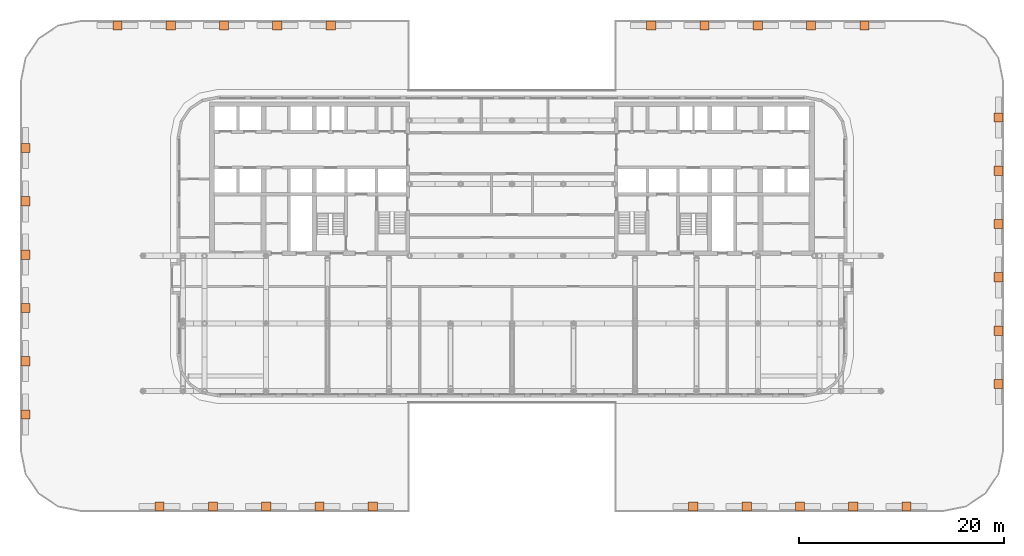
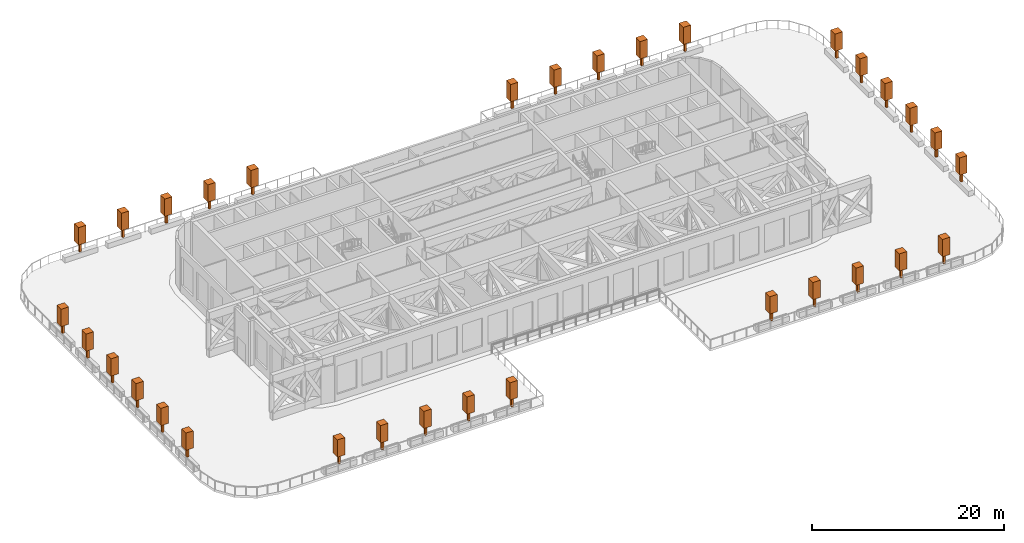
# One storey, part 20 of 20: 32 geographic elements.
"""IFC4 building model written with IfcOpenShell, lengths in metres."""

from ifc_helpers import new_model, si_unit, direction, frame, origin, origin_2d, place, context, subcontext, project, spatial, rectangle, extrude, material, element, save


model = new_model("IFC4")

# Units and contexts
model_context = context("Model", 3, precision=1e-05, world=origin(), true_north=direction((0.0, 1.0)))
body_context = subcontext(model_context, "Body", "Model", "MODEL_VIEW")
ifc_project = project(units=[si_unit("LENGTHUNIT", "METRE"), si_unit("AREAUNIT", "SQUARE_METRE"), si_unit("VOLUMEUNIT", "CUBIC_METRE"), si_unit("PLANEANGLEUNIT", "RADIAN"), si_unit("MASSUNIT", "GRAM", prefix="KILO")], contexts=[model_context])

# Site, building, storey
site_placement = place(None, origin())
site = spatial("IfcSite", under=ifc_project, at=site_placement, CompositionType="ELEMENT")
building_placement = place(site_placement, origin())
building = spatial("IfcBuilding", under=site, at=building_placement, Name="Torana Hotel and Residences", CompositionType="ELEMENT")
storey_placement = place(building_placement, frame((0.0, 0.0, 18.0)))
storey = spatial("IfcBuildingStorey", under=building, at=storey_placement, Name="L03", CompositionType="ELEMENT", Elevation=18.0)

# Geographic elements
ifc_material = material(Name="Foliage", Category="planting")
for number, where, z_axis, x_axis, name in (
    (1, (-13.580078125, -39.469970703125, 0.64990234375), (0.0, 0.0, 1.0), (1.0, 0.0, 0.0), "Tree L03 1.1"),
    (2, (-18.780029296875, -39.469970703125, 0.64990234375), (0.0, 0.0, 1.0), (1.0, 0.0, 0.0), "Tree L03 1.2"),
    (3, (-23.97998046875, -39.469970703125, 0.64990234375), (0.0, 0.0, 1.0), (1.0, 0.0, 0.0), "Tree L03 1.3"),
    (4, (-29.179931640625, -39.469970703125, 0.64990234375), (0.0, 0.0, 1.0), (1.0, 0.0, 0.0), "Tree L03 1.4"),
    (5, (-34.3798828125, -39.469970703125, 0.64990234375), (0.0, 0.0, 1.0), (1.0, 0.0, 0.0), "Tree L03 1.5"),
    (6, (-47.469970703125, -30.4921875, 0.64990234375), (0.0, 0.0, 1.0), (1.0, 0.0, 0.0), "Tree L03 1.6"),
    (7, (-47.469970703125, -25.2919921875, 0.64990234375), (0.0, 0.0, 1.0), (1.0, 0.0, 0.0), "Tree L03 1.7"),
    (8, (-47.469970703125, -20.092041015625, 0.64990234375), (0.0, 0.0, 1.0), (1.0, 0.0, 0.0), "Tree L03 1.8"),
    (9, (-47.469970703125, -14.89208984375, 0.64990234375), (0.0, 0.0, 1.0), (1.0, 0.0, 0.0), "Tree L03 1.9"),
    (10, (-47.469970703125, -9.692138671875, 0.64990234375), (0.0, 0.0, 1.0), (1.0, 0.0, 0.0), "Tree L03 1.10"),
    (11, (-47.469970703125, -4.4921875, 0.64990234375), (0.0, 0.0, 1.0), (1.0, 0.0, 0.0), "Tree L03 1.11"),
    (12, (-38.4921875, 7.469970703125, 0.64990234375), (0.0, 0.0, 1.0), (1.0, 0.0, 0.0), "Tree L03 1.12"),
    (13, (-33.2919921875, 7.469970703125, 0.64990234375), (0.0, 0.0, 1.0), (1.0, 0.0, 0.0), "Tree L03 1.13"),
    (14, (-28.092041015625, 7.469970703125, 0.64990234375), (0.0, 0.0, 1.0), (1.0, 0.0, 0.0), "Tree L03 1.14"),
    (15, (-22.89208984375, 7.469970703125, 0.64990234375), (0.0, 0.0, 1.0), (1.0, 0.0, 0.0), "Tree L03 1.15"),
    (16, (-17.692138671875, 7.469970703125, 0.64990234375), (0.0, 0.0, 1.0), (1.0, 0.0, 0.0), "Tree L03 1.16"),
    (17, (13.580078125, 7.469970703125, 0.64990234375), (0.0, 0.0, 1.0), (1.0, 0.0, 0.0), "Tree L03 2.1"),
    (18, (18.780029296875, 7.469970703125, 0.64990234375), (0.0, 0.0, 1.0), (1.0, 0.0, 0.0), "Tree L03 2.2"),
    (19, (23.97998046875, 7.469970703125, 0.64990234375), (0.0, 0.0, 1.0), (1.0, 0.0, 0.0), "Tree L03 2.3"),
    (20, (29.179931640625, 7.469970703125, 0.64990234375), (0.0, 0.0, 1.0), (1.0, 0.0, 0.0), "Tree L03 2.4"),
    (21, (34.3798828125, 7.469970703125, 0.64990234375), (0.0, 0.0, 1.0), (1.0, 0.0, 0.0), "Tree L03 2.5"),
    (22, (47.469970703125, -1.5078125, 0.64990234375), (0.0, 0.0, 1.0), (1.0, 0.0, 0.0), "Tree L03 2.6"),
    (23, (47.469970703125, -6.7080078125, 0.64990234375), (0.0, 0.0, 1.0), (1.0, 0.0, 0.0), "Tree L03 2.7"),
    (24, (47.469970703125, -11.907958984375, 0.64990234375), (0.0, 0.0, 1.0), (1.0, 0.0, 0.0), "Tree L03 2.8"),
    (25, (47.469970703125, -17.10791015625, 0.64990234375), (0.0, 0.0, 1.0), (1.0, 0.0, 0.0), "Tree L03 2.9"),
    (26, (47.469970703125, -22.307861328125, 0.64990234375), (0.0, 0.0, 1.0), (1.0, 0.0, 0.0), "Tree L03 2.10"),
    (27, (47.469970703125, -27.5078125, 0.64990234375), (0.0, 0.0, 1.0), (1.0, 0.0, 0.0), "Tree L03 2.11"),
    (28, (38.4921875, -39.469970703125, 0.64990234375), (0.0, 0.0, 1.0), (1.0, 0.0, 0.0), "Tree L03 2.12"),
    (29, (33.2919921875, -39.469970703125, 0.64990234375), (0.0, 0.0, 1.0), (1.0, 0.0, 0.0), "Tree L03 2.13"),
    (30, (28.092041015625, -39.469970703125, 0.64990234375), (0.0, 0.0, 1.0), (1.0, 0.0, 0.0), "Tree L03 2.14"),
    (31, (22.89208984375, -39.469970703125, 0.64990234375), (0.0, 0.0, 1.0), (1.0, 0.0, 0.0), "Tree L03 2.15"),
    (32, (17.692138671875, -39.469970703125, 0.64990234375), (0.0, 0.0, 1.0), (1.0, 0.0, 0.0), "Tree L03 2.16"),
):
    element("IfcGeographicElement", number, at=place(storey_placement, frame(where, z_axis=z_axis, x_axis=x_axis)), inside=storey, material=ifc_material, Name=name, ObjectType="TREE", PredefinedType="USERDEFINED", context=body_context, shape_type="SweptSolid", body=[
        extrude(rectangle(XDim=0.25, YDim=0.25, at=origin_2d()), origin(), (0.0, 0.0, 1.0), 1.199951171875),
        extrude(rectangle(XDim=0.89990234375, YDim=0.89990234375, at=origin_2d()), frame((0.0, 0.0, 1.199951171875)), (0.0, 0.0, 1.0), 2.199951171875),
    ])

save(model, "model.ifc")
